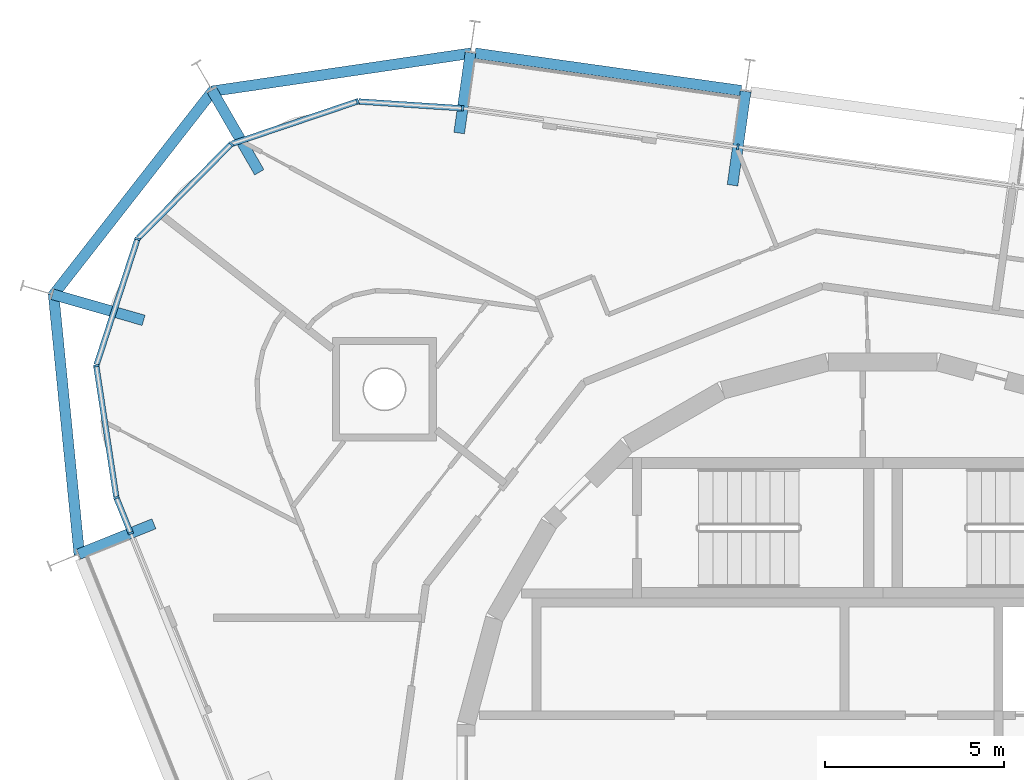
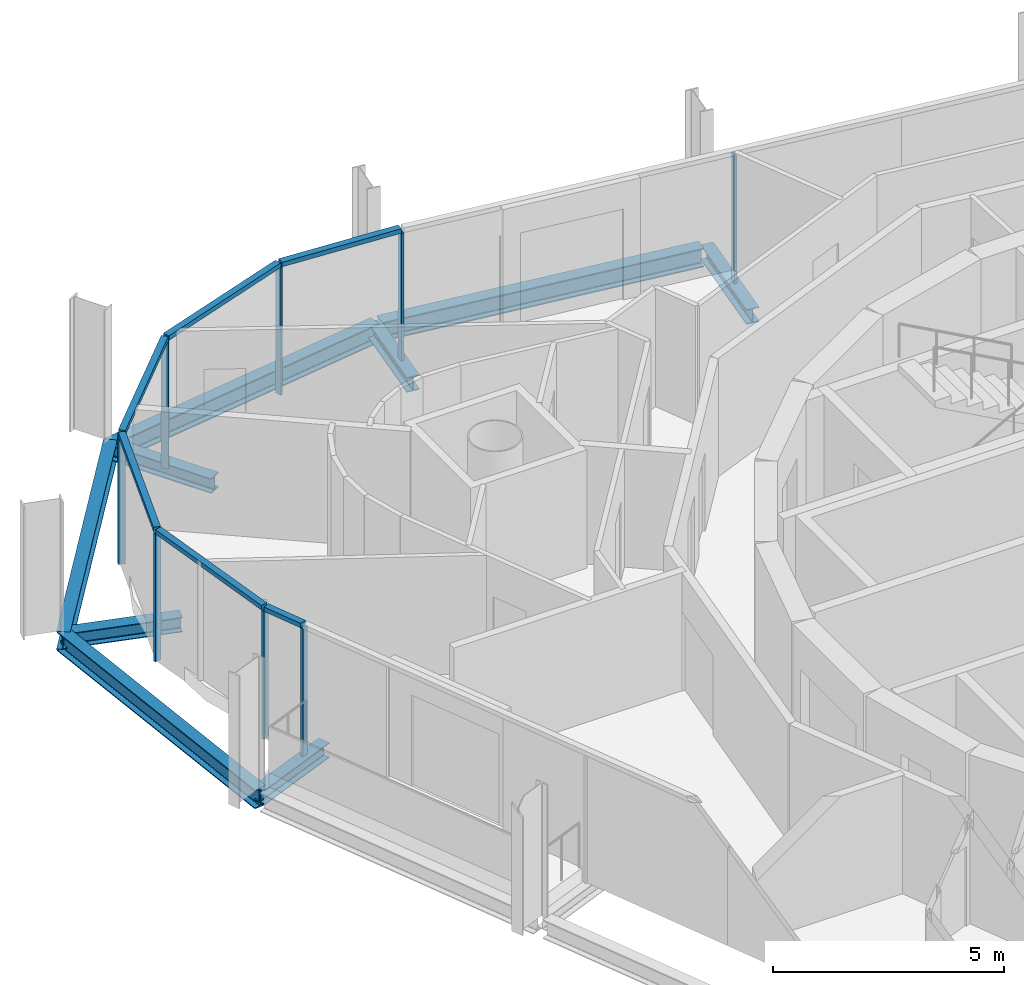
# One storey, part 5 of 15: 14 members, 9 beams, 3 elements without a shape of their own.
"""IFC4 building model written with IfcOpenShell, lengths in metres."""

from ifc_helpers import new_model, si_unit, direction, frame, origin, origin_2d, place, context, subcontext, project, spatial, rectangle, i_section, extrude, material, layer, layer_set, material_profile, profile_set, type_object, element, aggregate, save


model = new_model("IFC4")

# Units and contexts
model_context = context("Model", 3, precision=1e-05, world=origin(), true_north=direction((0.0, 1.0)))
body_context = subcontext(model_context, "Body", "Model", "MODEL_VIEW")
ifc_project = project(units=[si_unit("LENGTHUNIT", "METRE"), si_unit("AREAUNIT", "SQUARE_METRE"), si_unit("VOLUMEUNIT", "CUBIC_METRE"), si_unit("PLANEANGLEUNIT", "RADIAN"), si_unit("MASSUNIT", "GRAM", prefix="KILO")], contexts=[model_context])

# Site, building, storey
site_placement = place(None, origin())
site = spatial("IfcSite", under=ifc_project, at=site_placement, CompositionType="ELEMENT")
building_placement = place(site_placement, origin())
building = spatial("IfcBuilding", under=site, at=building_placement, Name="Spindle Arch Residences", CompositionType="ELEMENT")
storey_placement = place(building_placement, frame((0.0, 0.0, 343.5)))
storey = spatial("IfcBuildingStorey", under=building, at=storey_placement, Name="L88", CompositionType="ELEMENT", Elevation=343.5)

# Curtain wall, member
ifc_material_1 = material(Name="Aluminium bronze unitised frame with tinted glass", Category="aluminium")
ifc_layer_1 = layer(ifc_material_1, 0.159912109375)
ifc_layer_set_1 = layer_set([ifc_layer_1], Name="CW-C typical residential unitised wall")
curtain_wall_type_1 = type_object("IfcCurtainWallType", Name="CW-C typical residential unitised wall", PredefinedType="NOTDEFINED", material=ifc_layer_set_1)
curtain_wall_1_placement = place(storey_placement, origin())
curtain_wall_1 = element("IfcCurtainWall", 1, at=curtain_wall_1_placement, inside=storey, type_object=curtain_wall_type_1, Name="CW-C L88 run 2", PredefinedType="NOTDEFINED")
ifc_material_2 = material(Name="Aluminium bronze anodised mullion", Category="aluminium")
ifc_material_profile_1 = material_profile(ifc_material_2, rectangle(XDim=0.159912109375, YDim=0.06005859375, at=origin_2d()), Name="MU 60x160")
ifc_profile_set_1 = profile_set([ifc_material_profile_1], Name="Aluminium bronze anodised mullion")
member_type_1 = type_object("IfcMemberType", Name="Bronze mullion 60x160", PredefinedType="MULLION", material=ifc_profile_set_1)
member_1_placement = place(storey_placement, frame((-4.0537109375, 17.654296875, -0.3798828125), z_axis=(0.0, 0.0, 1.0), x_axis=(-0.13917310096, -0.990268068742, 0.0)))
member_1 = element("IfcMember", 2, at=member_1_placement, type_object=member_type_1, Name="CW-C mullion 07", PredefinedType="MULLION", context=body_context, shape_type="SweptSolid", body=[
    extrude(rectangle(XDim=0.159912109375, YDim=0.06005859375, at=origin_2d()), origin(), (0.0, 0.0, 1.0), 3.3798828125),
])
aggregate(curtain_wall_1, [member_1])

# Curtain wall, members
ifc_material_3 = material(Name="Aluminium bronze unitised frame with tinted glass", Category="aluminium")
ifc_layer_2 = layer(ifc_material_3, 0.159912109375)
ifc_layer_set_2 = layer_set([ifc_layer_2], Name="CW-D corner wall on the fillet arcs")
curtain_wall_type_2 = type_object("IfcCurtainWallType", Name="CW-D corner wall on the fillet arcs", PredefinedType="NOTDEFINED", material=ifc_layer_set_2)
curtain_wall_2_placement = place(storey_placement, origin())
curtain_wall_2 = element("IfcCurtainWall", 3, at=curtain_wall_2_placement, inside=storey, type_object=curtain_wall_type_2, Name="CW-D L88 run 3", PredefinedType="NOTDEFINED")
member_2_placement = place(storey_placement, frame((-11.74365234375, 18.735107421875, -0.3798828125), z_axis=(0.0, 0.0, 1.0), x_axis=(-0.065509719587, -0.99785193122, 0.0)))
member_2 = element("IfcMember", 4, at=member_2_placement, type_object=member_type_1, Name="CW-D mullion 00", PredefinedType="MULLION", context=body_context, shape_type="SweptSolid", body=[
    extrude(rectangle(XDim=0.159912109375, YDim=0.06005859375, at=origin_2d()), origin(), (0.0, 0.0, 1.0), 3.3798828125),
])
member_3_placement = place(storey_placement, frame((-14.6806640625, 18.927978515625, -0.3798828125), z_axis=(0.0, 0.0, 1.0), x_axis=(0.320061877599, -0.947396640541, 0.0)))
member_3 = element("IfcMember", 5, at=member_3_placement, type_object=member_type_1, Name="CW-D mullion 01", PredefinedType="MULLION", context=body_context, shape_type="SweptSolid", body=[
    extrude(rectangle(XDim=0.159912109375, YDim=0.06005859375, at=origin_2d()), origin(), (0.0, 0.0, 1.0), 3.3798828125),
])
member_4_placement = place(storey_placement, frame((-18.211181640625, 17.735107421875, -0.3798828125), z_axis=(0.0, 0.0, 1.0), x_axis=(0.711208574043, -0.702981055369, 0.0)))
member_4 = element("IfcMember", 6, at=member_4_placement, type_object=member_type_1, Name="CW-D mullion 02", PredefinedType="MULLION", context=body_context, shape_type="SweptSolid", body=[
    extrude(rectangle(XDim=0.159912109375, YDim=0.06005859375, at=origin_2d()), origin(), (0.0, 0.0, 1.0), 3.3798828125),
])
member_5_placement = place(storey_placement, frame((-20.8310546875, 15.084716796875, -0.3798828125), z_axis=(0.0, 0.0, 1.0), x_axis=(0.951056517498, -0.309016990673, 0.0)))
member_5 = element("IfcMember", 7, at=member_5_placement, type_object=member_type_1, Name="CW-D mullion 03", PredefinedType="MULLION", context=body_context, shape_type="SweptSolid", body=[
    extrude(rectangle(XDim=0.159912109375, YDim=0.06005859375, at=origin_2d()), origin(), (0.0, 0.0, 1.0), 3.3798828125),
])
member_6_placement = place(storey_placement, frame((-21.982666015625, 11.540283203125, -0.3798828125), z_axis=(0.0, 0.0, 1.0), x_axis=(0.988581718471, 0.150685718984, 0.0)))
member_6 = element("IfcMember", 8, at=member_6_placement, type_object=member_type_1, Name="CW-D mullion 04", PredefinedType="MULLION", context=body_context, shape_type="SweptSolid", body=[
    extrude(rectangle(XDim=0.159912109375, YDim=0.06005859375, at=origin_2d()), origin(), (0.0, 0.0, 1.0), 3.3798828125),
])
member_7_placement = place(storey_placement, frame((-21.421142578125, 7.856201171875, -0.3798828125), z_axis=(0.0, 0.0, 1.0), x_axis=(0.927183854567, 0.374606593416, 0.0)))
member_7 = element("IfcMember", 9, at=member_7_placement, type_object=member_type_1, Name="CW-D mullion 05", PredefinedType="MULLION", context=body_context, shape_type="SweptSolid", body=[
    extrude(rectangle(XDim=0.159912109375, YDim=0.06005859375, at=origin_2d()), origin(), (0.0, 0.0, 1.0), 3.3798828125),
])

# Curtain wall, member
curtain_wall_3_placement = place(storey_placement, origin())
curtain_wall_3 = element("IfcCurtainWall", 10, at=curtain_wall_3_placement, inside=storey, type_object=curtain_wall_type_1, Name="CW-C L88 run 4", PredefinedType="NOTDEFINED")
member_8_placement = place(storey_placement, frame((-21.019775390625, 6.862548828125, -0.3798828125), z_axis=(0.0, 0.0, 1.0), x_axis=(0.927183854567, 0.374606593416, 0.0)))
member_8 = element("IfcMember", 11, at=member_8_placement, type_object=member_type_1, Name="CW-C mullion 11", PredefinedType="MULLION", context=body_context, shape_type="SweptSolid", body=[
    extrude(rectangle(XDim=0.159912109375, YDim=0.06005859375, at=origin_2d()), origin(), (0.0, 0.0, 1.0), 3.3798828125),
])
aggregate(curtain_wall_3, [member_8])

# Member
ifc_material_4 = material(Name="Aluminium bronze anodised transom", Category="aluminium")
ifc_material_profile_2 = material_profile(ifc_material_4, rectangle(XDim=0.159912109375, YDim=0.1201171875, at=origin_2d()), Name="TR 120x160")
ifc_profile_set_2 = profile_set([ifc_material_profile_2], Name="Aluminium bronze anodised transom")
member_type_2 = type_object("IfcMemberType", Name="Bronze transom 120x160", PredefinedType="USERDEFINED", material=ifc_profile_set_2)
member_9_placement = place(storey_placement, frame((-11.773681640625, 18.737060546875, 3.06005859375), z_axis=(-0.997849873477, 0.065541055844, 0.0), x_axis=(-0.065541055844, -0.997849873477, 0.0)))
member_9 = element("IfcMember", 12, at=member_9_placement, type_object=member_type_2, Name="CW-D transom 00", ObjectType="TRANSOM", PredefinedType="USERDEFINED", context=body_context, shape_type="SweptSolid", body=[
    extrude(rectangle(XDim=0.159912109375, YDim=0.1201171875, at=origin_2d()), origin(), (0.0, 0.0, 1.0), 2.883056640625),
])

member_10_placement = place(storey_placement, frame((-14.708984375, 18.91845703125, 3.06005859375), z_axis=(-0.94739716915, -0.320060312889, 0.0), x_axis=(0.320060312889, -0.94739716915, 0.0)))
member_10 = element("IfcMember", 13, at=member_10_placement, type_object=member_type_2, Name="CW-D transom 01", ObjectType="TRANSOM", PredefinedType="USERDEFINED", context=body_context, shape_type="SweptSolid", body=[
    extrude(rectangle(XDim=0.159912109375, YDim=0.1201171875, at=origin_2d()), origin(), (0.0, 0.0, 1.0), 3.666748046875),
])

member_11_placement = place(storey_placement, frame((-18.232421875, 17.7138671875, 3.06005859375), z_axis=(-0.702966683093, -0.711222779769, 0.0), x_axis=(0.711222779769, -0.702966683093, 0.0)))
member_11 = element("IfcMember", 14, at=member_11_placement, type_object=member_type_2, Name="CW-D transom 02", ObjectType="TRANSOM", PredefinedType="USERDEFINED", context=body_context, shape_type="SweptSolid", body=[
    extrude(rectangle(XDim=0.159912109375, YDim=0.1201171875, at=origin_2d()), origin(), (0.0, 0.0, 1.0), 3.666748046875),
])

member_12_placement = place(storey_placement, frame((-20.84033203125, 15.05615234375, 3.06005859375), z_axis=(-0.309007783623, -0.951059509001, 0.0), x_axis=(0.951059509001, -0.309007783623, 0.0)))
member_12 = element("IfcMember", 15, at=member_12_placement, type_object=member_type_2, Name="CW-D transom 03", ObjectType="TRANSOM", PredefinedType="USERDEFINED", context=body_context, shape_type="SweptSolid", body=[
    extrude(rectangle(XDim=0.159912109375, YDim=0.1201171875, at=origin_2d()), origin(), (0.0, 0.0, 1.0), 3.666748046875),
])

member_13_placement = place(storey_placement, frame((-21.978271484375, 11.5107421875, 3.06005859375), z_axis=(0.150671164407, -0.988583936859, 0.0), x_axis=(0.988583936859, 0.150671164407, 0.0)))
member_13 = element("IfcMember", 16, at=member_13_placement, type_object=member_type_2, Name="CW-D transom 04", ObjectType="TRANSOM", PredefinedType="USERDEFINED", context=body_context, shape_type="SweptSolid", body=[
    extrude(rectangle(XDim=0.159912109375, YDim=0.1201171875, at=origin_2d()), origin(), (0.0, 0.0, 1.0), 3.666748046875),
])

member_14_placement = place(storey_placement, frame((-21.409912109375, 7.828369140625, 3.06005859375), z_axis=(0.374550833754, -0.927206380982, 0.0), x_axis=(0.927206380982, 0.374550833754, 0.0)))
member_14 = element("IfcMember", 17, at=member_14_placement, type_object=member_type_2, Name="CW-D transom 05", ObjectType="TRANSOM", PredefinedType="USERDEFINED", context=body_context, shape_type="SweptSolid", body=[
    extrude(rectangle(XDim=0.159912109375, YDim=0.1201171875, at=origin_2d()), origin(), (0.0, 0.0, 1.0), 1.01171875),
])

aggregate(curtain_wall_2, [member_2, member_9, member_3, member_10, member_4, member_11, member_5, member_12, member_6, member_13, member_7, member_14])

# Beams
ifc_material_5 = material(Name="Steel S460ML, intumescent coating R 120", Category="steel")
ifc_material_profile_3 = material_profile(ifc_material_5, i_section(OverallWidth=0.300048828125, OverallDepth=0.5, WebThickness=0.014404296875, FlangeThickness=0.028076171875, FilletRadius=0.027099609375, at=origin_2d()), Name="HEB 500")
ifc_profile_set_3 = profile_set([ifc_material_profile_3], Name="Steel S460ML, intumescent coating R 120")
beam_type_1 = type_object("IfcBeamType", Name="Exoskeleton edge beam HEB 500", PredefinedType="BEAM", material=ifc_profile_set_3)
beam_1_placement = place(storey_placement, frame((-3.964111328125, 19.227294921875, -0.6298828125), z_axis=(-0.990270241249, 0.13915764189, 0.0), x_axis=(-0.13915764189, -0.990270241249, 0.0)))
element("IfcBeam", 18, at=beam_1_placement, inside=storey, type_object=beam_type_1, Name="Exoskeleton edge beam 8", PredefinedType="BEAM", context=body_context, shape_type="SweptSolid", body=[
    extrude(i_section(OverallWidth=0.300048828125, OverallDepth=0.5, WebThickness=0.014404296875, FlangeThickness=0.028076171875, FilletRadius=0.027099609375, at=origin_2d()), origin(), (0.0, 0.0, 1.0), 7.50537109375),
])
beam_2_placement = place(storey_placement, frame((-11.505615234375, 20.27490234375, -0.6298828125), z_axis=(-0.989384491355, -0.145321465266, 0.0), x_axis=(0.145321465266, -0.989384491355, 0.0)))
element("IfcBeam", 19, at=beam_2_placement, inside=storey, type_object=beam_type_1, Name="Exoskeleton edge beam 9", PredefinedType="BEAM", context=body_context, shape_type="SweptSolid", body=[
    extrude(i_section(OverallWidth=0.300048828125, OverallDepth=0.5, WebThickness=0.014404296875, FlangeThickness=0.028076171875, FilletRadius=0.027099609375, at=origin_2d()), origin(), (0.0, 0.0, 1.0), 7.333251953125),
])
beam_3_placement = place(storey_placement, frame((-18.700927734375, 19.252685546875, -0.6298828125), z_axis=(-0.615671888322, -0.788002617971, 0.0), x_axis=(0.788002617971, -0.615671888322, 0.0)))
element("IfcBeam", 20, at=beam_3_placement, inside=storey, type_object=beam_type_1, Name="Exoskeleton edge beam 10", PredefinedType="BEAM", context=body_context, shape_type="SweptSolid", body=[
    extrude(i_section(OverallWidth=0.300048828125, OverallDepth=0.5, WebThickness=0.014404296875, FlangeThickness=0.028076171875, FilletRadius=0.027099609375, at=origin_2d()), origin(), (0.0, 0.0, 1.0), 7.31591796875),
])
beam_4_placement = place(storey_placement, frame((-23.177490234375, 13.556640625, -0.6298828125), z_axis=(0.098376359096, -0.995149281249, 0.0), x_axis=(0.995149281249, 0.098376359096, 0.0)))
element("IfcBeam", 21, at=beam_4_placement, inside=storey, type_object=beam_type_1, Name="Exoskeleton edge beam 11", PredefinedType="BEAM", context=body_context, shape_type="SweptSolid", body=[
    extrude(i_section(OverallWidth=0.300048828125, OverallDepth=0.5, WebThickness=0.014404296875, FlangeThickness=0.028076171875, FilletRadius=0.027099609375, at=origin_2d()), origin(), (0.0, 0.0, 1.0), 7.33349609375),
])
ifc_material_6 = material(Name="Steel S460ML, intumescent coating R 120", Category="steel")
ifc_material_profile_4 = material_profile(ifc_material_6, i_section(OverallWidth=0.300048828125, OverallDepth=0.389892578125, WebThickness=0.010986328125, FlangeThickness=0.01904296875, FilletRadius=0.027099609375, at=origin_2d()), Name="HEA 400")
ifc_profile_set_4 = profile_set([ifc_material_profile_4], Name="Steel S460ML, intumescent coating R 120")
beam_type_2 = type_object("IfcBeamType", Name="Floor outrigger HEA 400", PredefinedType="BEAM", material=ifc_profile_set_4)
beam_5_placement = place(storey_placement, frame((-3.835205078125, 19.208984375, -0.574951171875), z_axis=(-0.139215304089, -0.990262136562, 0.0), x_axis=(0.990262136562, -0.139215304089, 0.0)))
element("IfcBeam", 22, at=beam_5_placement, inside=storey, type_object=beam_type_2, Name="Floor outrigger 8", PredefinedType="BEAM", context=body_context, shape_type="SweptSolid", body=[
    extrude(i_section(OverallWidth=0.300048828125, OverallDepth=0.389892578125, WebThickness=0.010986328125, FlangeThickness=0.01904296875, FilletRadius=0.027099609375, at=origin_2d()), origin(), (0.0, 0.0, 1.0), 2.64990234375),
])
beam_6_placement = place(storey_placement, frame((-11.525146484375, 20.289794921875, -0.574951171875), z_axis=(-0.139236695956, -0.990259128965, 0.0), x_axis=(0.990259128965, -0.139236695956, 0.0)))
element("IfcBeam", 23, at=beam_6_placement, inside=storey, type_object=beam_type_2, Name="Floor outrigger 9", PredefinedType="BEAM", context=body_context, shape_type="SweptSolid", body=[
    extrude(i_section(OverallWidth=0.300048828125, OverallDepth=0.389892578125, WebThickness=0.010986328125, FlangeThickness=0.01904296875, FilletRadius=0.027099609375, at=origin_2d()), origin(), (0.0, 0.0, 1.0), 2.26904296875),
])
beam_7_placement = place(storey_placement, frame((-18.750732421875, 19.2421875, -0.574951171875), z_axis=(0.49963737375, -0.866234664945, 0.0), x_axis=(0.866234664945, 0.49963737375, 0.0)))
element("IfcBeam", 24, at=beam_7_placement, inside=storey, type_object=beam_type_2, Name="Floor outrigger 10", PredefinedType="BEAM", context=body_context, shape_type="SweptSolid", body=[
    extrude(i_section(OverallWidth=0.300048828125, OverallDepth=0.389892578125, WebThickness=0.010986328125, FlangeThickness=0.01904296875, FilletRadius=0.027099609375, at=origin_2d()), origin(), (0.0, 0.0, 1.0), 2.64990234375),
])
beam_8_placement = place(storey_placement, frame((-23.20703125, 13.53857421875, -0.574951171875), z_axis=(0.961395217741, -0.275171283575, 0.0), x_axis=(0.275171283575, 0.961395217741, 0.0)))
element("IfcBeam", 25, at=beam_8_placement, inside=storey, type_object=beam_type_2, Name="Floor outrigger 11", PredefinedType="BEAM", context=body_context, shape_type="SweptSolid", body=[
    extrude(i_section(OverallWidth=0.300048828125, OverallDepth=0.389892578125, WebThickness=0.010986328125, FlangeThickness=0.01904296875, FilletRadius=0.027099609375, at=origin_2d()), origin(), (0.0, 0.0, 1.0), 2.650146484375),
])
beam_9_placement = place(storey_placement, frame((-22.475341796875, 6.2744140625, -0.574951171875), z_axis=(0.927202315329, 0.374560898185, 0.0), x_axis=(-0.374560898185, 0.927202315329, 0.0)))
element("IfcBeam", 26, at=beam_9_placement, inside=storey, type_object=beam_type_2, Name="Floor outrigger 12", PredefinedType="BEAM", context=body_context, shape_type="SweptSolid", body=[
    extrude(i_section(OverallWidth=0.300048828125, OverallDepth=0.389892578125, WebThickness=0.010986328125, FlangeThickness=0.01904296875, FilletRadius=0.027099609375, at=origin_2d()), origin(), (0.0, 0.0, 1.0), 2.26904296875),
])

save(model, "model.ifc")
